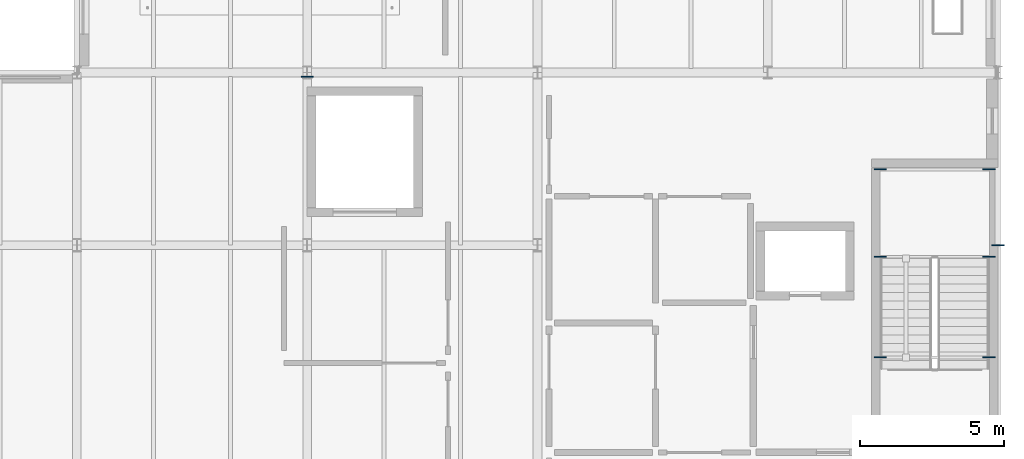
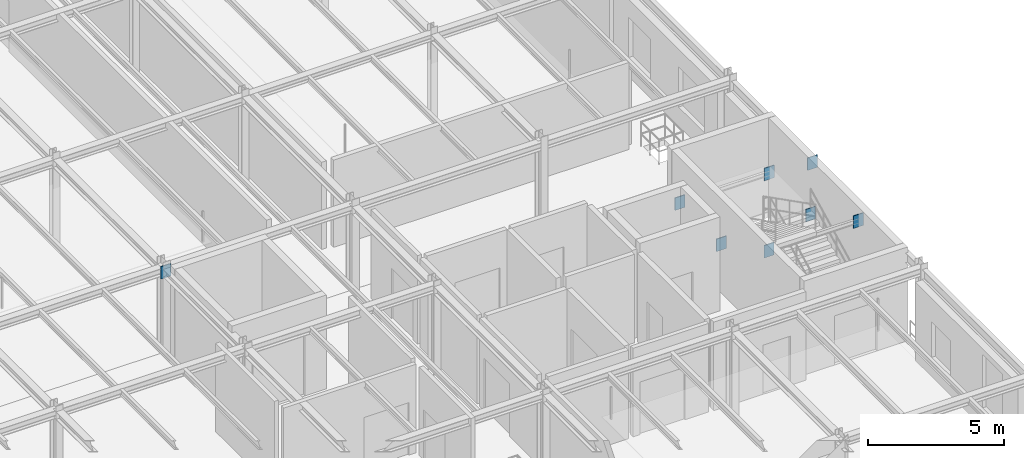
# One storey, part 78 of 124: 8 plates.
"""IFC4 building model written with IfcOpenShell, lengths in metres."""

from ifc_helpers import new_model, si_unit, direction, frame, origin, origin_2d, place, context, subcontext, project, spatial, rectangle, extrude, material, layer, layer_set, type_object, element, save


model = new_model("IFC4")

# Units and contexts
model_context = context("Model", 3, precision=1e-05, world=origin(), true_north=direction((0.0, 1.0)))
body_context = subcontext(model_context, "Body", "Model", "MODEL_VIEW")
ifc_project = project(units=[si_unit("LENGTHUNIT", "METRE"), si_unit("AREAUNIT", "SQUARE_METRE"), si_unit("VOLUMEUNIT", "CUBIC_METRE"), si_unit("PLANEANGLEUNIT", "RADIAN"), si_unit("MASSUNIT", "GRAM", prefix="KILO")], contexts=[model_context])

# Site, building, storey
site_placement = place(None, origin())
site = spatial("IfcSite", under=ifc_project, at=site_placement, CompositionType="ELEMENT")
building_placement = place(site_placement, origin())
building = spatial("IfcBuilding", under=site, at=building_placement, Name="Sundkrona Museum", CompositionType="ELEMENT")
storey_placement = place(building_placement, frame((0.0, 0.0, 17.60009765625)))
storey = spatial("IfcBuildingStorey", under=building, at=storey_placement, Name="L03", CompositionType="ELEMENT", Elevation=17.60009765625)

# Plates
ifc_material = material(Name="Steel S355J2", Category="steel")
ifc_layer = layer(ifc_material, 0.034912109375)
ifc_layer_set = layer_set([ifc_layer], Name="Steel S355J2")
plate_type = type_object("IfcPlateType", Name="EP-1", PredefinedType="USERDEFINED", material=ifc_layer_set)
for number, where, z_axis, x_axis, name in (
    (1, (168.0, 40.0, 3.454833984375), (0.0, 0.0, 1.0), (1.0, 0.0, 0.0), "Core Wall Cast-In Embed Plate BM-L03-Y-1692-2"),
    (2, (163.909912109375, 39.598388671875, 1.499755859375), (0.0, 0.0, 1.0), (1.0, 0.0, 0.0), "Core Wall Cast-In Embed Plate BM-STLD-ST-1-L03-1A-1"),
    (3, (167.68994140625, 39.598388671875, 1.499755859375), (0.0, 0.0, 1.0), (1.0, 0.0, 0.0), "Core Wall Cast-In Embed Plate BM-STLD-ST-1-L03-1A-2"),
    (4, (163.909912109375, 42.63671875, 1.499755859375), (0.0, 0.0, 1.0), (1.0, 0.0, 0.0), "Core Wall Cast-In Embed Plate BM-STLD-ST-1-L03-1B-1"),
    (5, (167.68994140625, 42.63671875, 1.499755859375), (0.0, 0.0, 1.0), (1.0, 0.0, 0.0), "Core Wall Cast-In Embed Plate BM-STLD-ST-1-L03-1B-2"),
    (6, (163.909912109375, 36.10009765625, 3.333251953125), (0.0, 0.0, 1.0), (1.0, 0.0, 0.0), "Core Wall Cast-In Embed Plate BM-STHD-ST-1-L03-2-1"),
    (7, (167.68994140625, 36.10009765625, 3.333251953125), (0.0, 0.0, 1.0), (1.0, 0.0, 0.0), "Core Wall Cast-In Embed Plate BM-STHD-ST-1-L03-2-2"),
    (8, (144.0, 45.85009765625, 3.44482421875), (0.0, 0.0, 1.0), (1.0, 0.0, 0.0), "Structural Wall Cast-In Embed Plate BM-L03-Y-1650-2"),
):
    element("IfcPlate", number, at=place(storey_placement, frame(where, z_axis=z_axis, x_axis=x_axis)), inside=storey, type_object=plate_type, Name=name, ObjectType="GUSSET PLATE", PredefinedType="USERDEFINED", context=body_context, shape_type="SweptSolid", body=[
        extrude(rectangle(XDim=0.419921875, YDim=0.034912109375, at=origin_2d()), origin(), (0.0, 0.0, 1.0), 0.56005859375),
    ])

save(model, "model.ifc")
